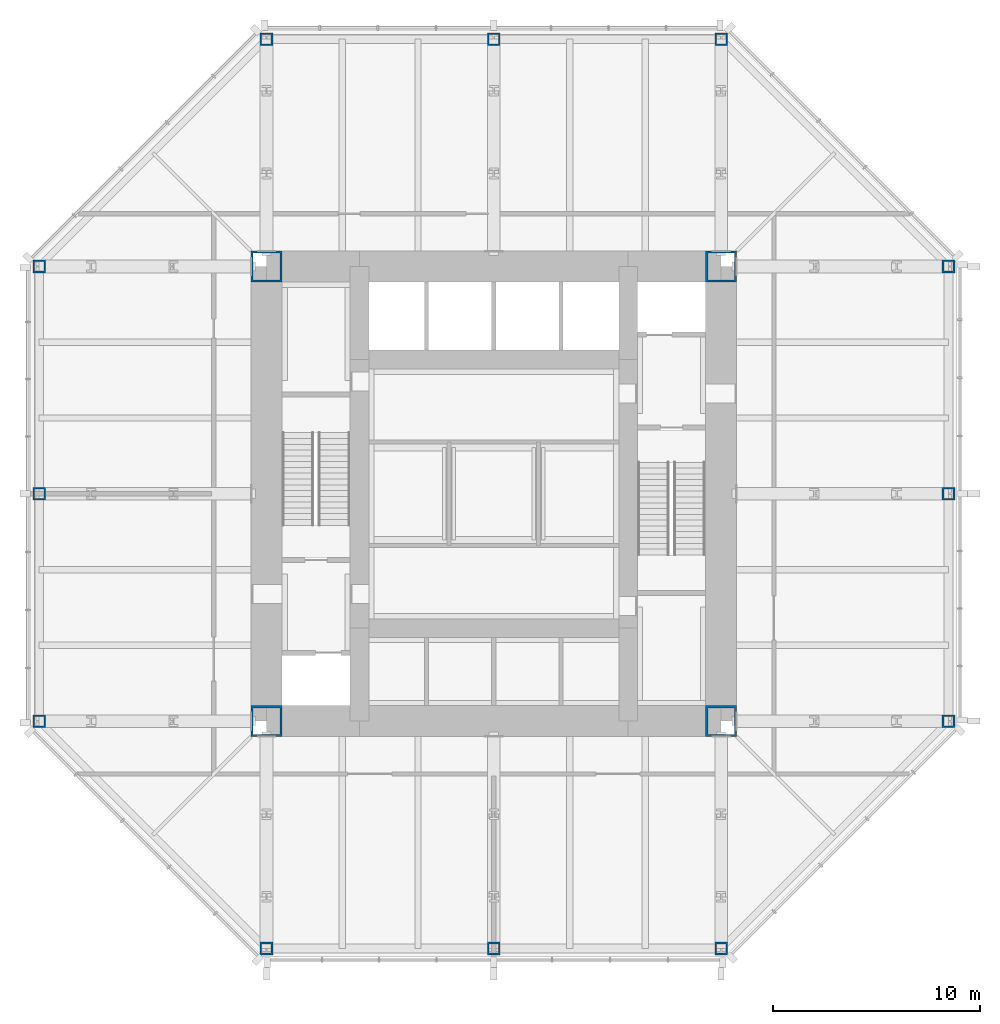
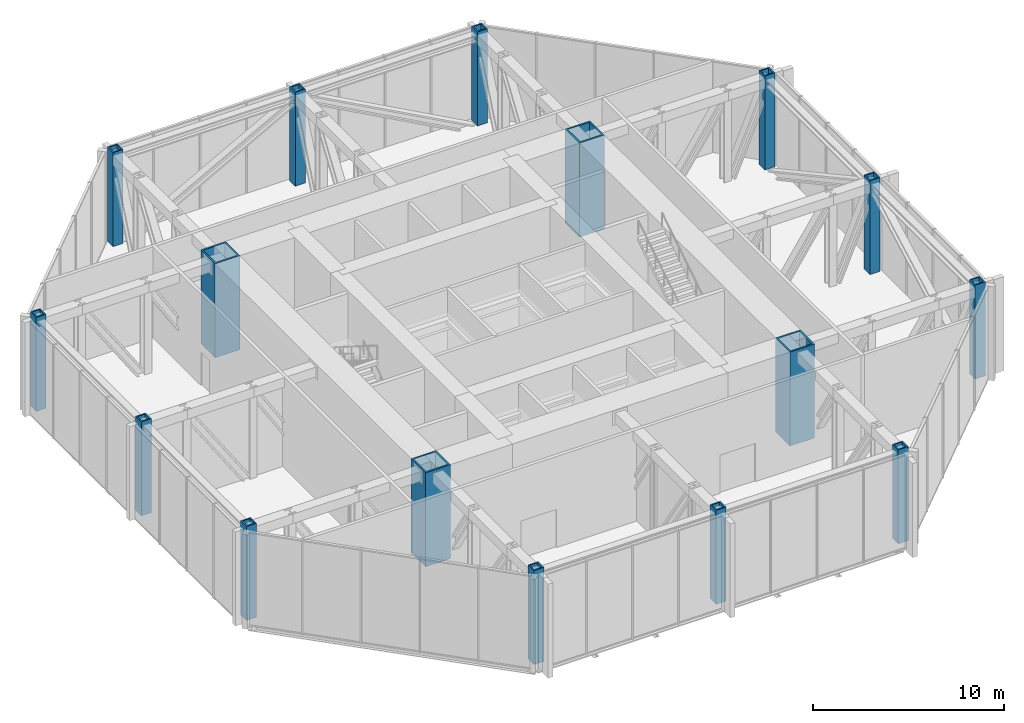
# One storey, part 1 of 11: 16 columns.
"""IFC4 building model written with IfcOpenShell, lengths in metres."""

from ifc_helpers import new_model, si_unit, direction, frame, origin, origin_2d, place, context, subcontext, project, spatial, hollow_rectangle, extrude, material, material_profile, profile_set, type_object, element, save


model = new_model("IFC4")

# Units and contexts
model_context = context("Model", 3, precision=1e-05, world=origin(), true_north=direction((0.0, 1.0)))
body_context = subcontext(model_context, "Body", "Model", "MODEL_VIEW")
ifc_project = project(units=[si_unit("LENGTHUNIT", "METRE"), si_unit("AREAUNIT", "SQUARE_METRE"), si_unit("VOLUMEUNIT", "CUBIC_METRE"), si_unit("PLANEANGLEUNIT", "RADIAN"), si_unit("MASSUNIT", "GRAM", prefix="KILO")], contexts=[model_context])

# Site, building, storey
site_placement = place(None, origin())
site = spatial("IfcSite", under=ifc_project, at=site_placement, CompositionType="ELEMENT")
building_placement = place(site_placement, origin())
building = spatial("IfcBuilding", under=site, at=building_placement, Name="Trevanion Tower", CompositionType="ELEMENT")
storey_placement = place(building_placement, frame((0.0, 0.0, 178.699951171875)))
storey = spatial("IfcBuildingStorey", under=building, at=storey_placement, Name="L42", CompositionType="ELEMENT", Elevation=178.699951171875)

# Columns
ifc_material_1 = material(Name="Steel ASTM A572 Grade 50", Category="steel")
ifc_material_profile_1 = material_profile(ifc_material_1, hollow_rectangle(XDim=0.609619140625, YDim=0.609619140625, WallThickness=0.076171875, at=origin_2d()), Name="BOX24X24X3")
ifc_profile_set_1 = profile_set([ifc_material_profile_1], Name="Steel ASTM A572 Grade 50")
column_type_1 = type_object("IfcColumnType", Name="C4 BOX24X24X3", PredefinedType="COLUMN", material=ifc_profile_set_1)
for number, where, z_axis, x_axis, name in (
    (1, (-22.0, 0.0, 0.0), (0.0, 0.0, 1.0), (0.0, 1.0, 0.0), "C4 4/H L42"),
    (2, (-22.0, -11.0, 0.0), (0.0, 0.0, 1.0), (0.0, 1.0, 0.0), "C4 4/F L42"),
    (3, (-11.0, -22.0, 0.0), (0.0, 0.0, 1.0), (1.0, 0.0, 0.0), "C4 8/B L42"),
    (4, (0.0, -22.0, 0.0), (0.0, 0.0, 1.0), (1.0, 0.0, 0.0), "C4 10/B L42"),
    (5, (11.0, -22.0, 0.0), (0.0, 0.0, 1.0), (1.0, 0.0, 0.0), "C4 12/B L42"),
    (6, (22.0, -11.0, 0.0), (0.0, 0.0, 1.0), (0.0, 1.0, 0.0), "C4 16/F L42"),
    (7, (22.0, 0.0, 0.0), (0.0, 0.0, 1.0), (0.0, 1.0, 0.0), "C4 16/H L42"),
    (8, (22.0, 11.0, 0.0), (0.0, 0.0, 1.0), (0.0, 1.0, 0.0), "C4 16/K L42"),
    (9, (11.0, 22.0, 0.0), (0.0, 0.0, 1.0), (1.0, 0.0, 0.0), "C4 12/P L42"),
    (10, (0.0, 22.0, 0.0), (0.0, 0.0, 1.0), (1.0, 0.0, 0.0), "C4 10/P L42"),
    (11, (-11.0, 22.0, 0.0), (0.0, 0.0, 1.0), (1.0, 0.0, 0.0), "C4 8/P L42"),
    (12, (-22.0, 11.0, 0.0), (0.0, 0.0, 1.0), (0.0, 1.0, 0.0), "C4 4/K L42"),
):
    element("IfcColumn", number, at=place(storey_placement, frame(where, z_axis=z_axis, x_axis=x_axis)), inside=storey, type_object=column_type_1, Name=name, PredefinedType="COLUMN", context=body_context, shape_type="SweptSolid", body=[
        extrude(hollow_rectangle(XDim=0.609619140625, YDim=0.609619140625, WallThickness=0.076171875, at=origin_2d()), origin(), (0.0, 0.0, 1.0), 6.0),
    ])
ifc_material_2 = material(Name="Steel ASTM A572 Grade 50", Category="steel")
ifc_material_profile_2 = material_profile(ifc_material_2, hollow_rectangle(XDim=1.49853515625, YDim=1.49853515625, WallThickness=0.1015625, at=origin_2d()), Name="BOX59X59X4")
ifc_profile_set_2 = profile_set([ifc_material_profile_2], Name="Steel ASTM A572 Grade 50")
column_type_2 = type_object("IfcColumnType", Name="CB1 BOX59X59X4", PredefinedType="COLUMN", material=ifc_profile_set_2)
for number, where, z_axis, x_axis, name in (
    (13, (11.0, 11.0, 0.0), (0.0, 0.0, 1.0), (1.0, 0.0, 0.0), "CB1 NE L42"),
    (14, (-11.0, 11.0, 0.0), (0.0, 0.0, 1.0), (1.0, 0.0, 0.0), "CB1 NW L42"),
    (15, (-11.0, -11.0, 0.0), (0.0, 0.0, 1.0), (1.0, 0.0, 0.0), "CB1 SW L42"),
    (16, (11.0, -11.0, 0.0), (0.0, 0.0, 1.0), (1.0, 0.0, 0.0), "CB1 SE L42"),
):
    element("IfcColumn", number, at=place(storey_placement, frame(where, z_axis=z_axis, x_axis=x_axis)), inside=storey, type_object=column_type_2, Name=name, PredefinedType="COLUMN", context=body_context, shape_type="SweptSolid", body=[
        extrude(hollow_rectangle(XDim=1.49853515625, YDim=1.49853515625, WallThickness=0.1015625, at=origin_2d()), origin(), (0.0, 0.0, 1.0), 6.0),
    ])

save(model, "model.ifc")
